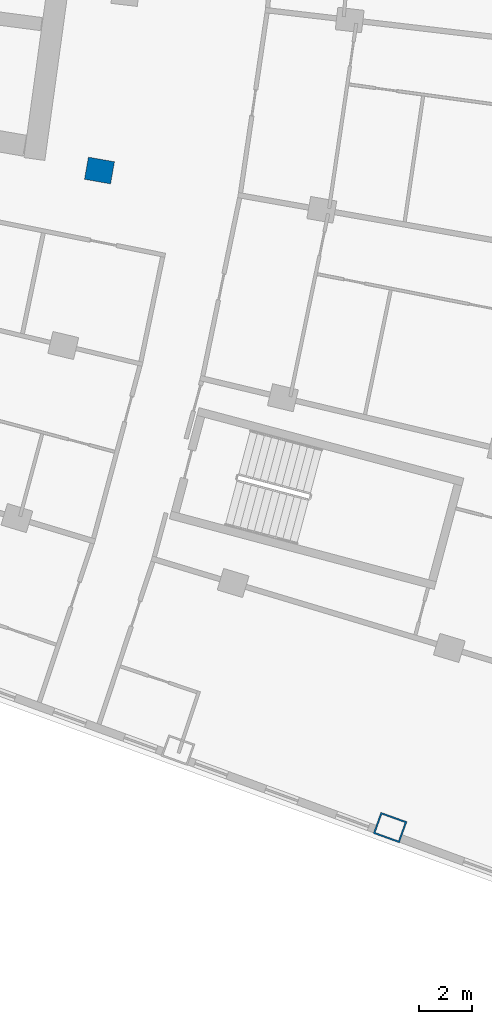
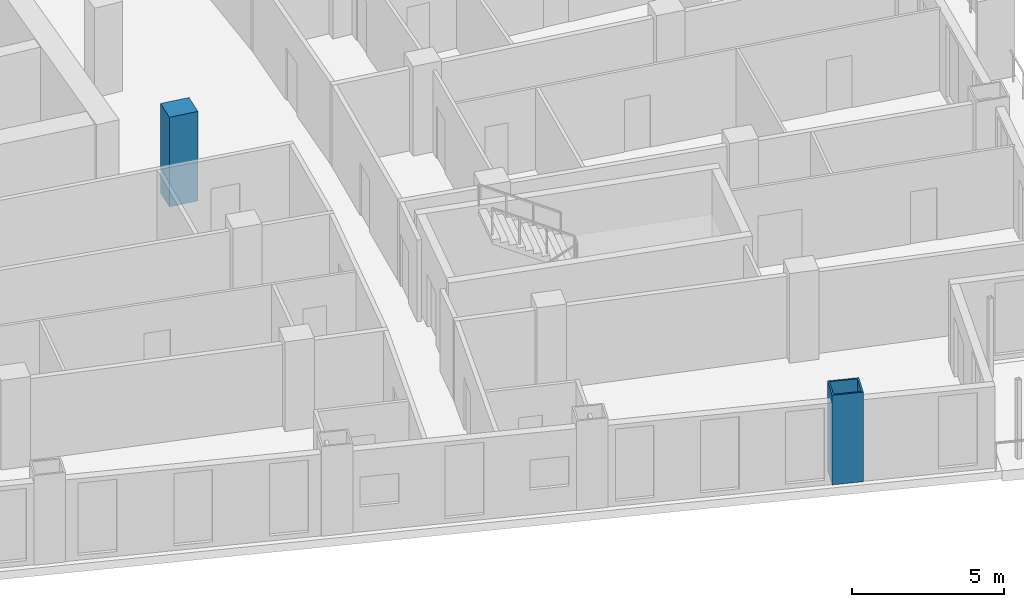
# One storey, part 3 of 23: 2 columns.
"""IFC4 building model written with IfcOpenShell, lengths in metres."""

from ifc_helpers import new_model, si_unit, direction, frame, origin, origin_2d, place, context, subcontext, project, spatial, rectangle, hollow_rectangle, extrude, material, material_profile, profile_set, type_object, element, save


model = new_model("IFC4")

# Units and contexts
model_context = context("Model", 3, precision=1e-05, world=origin(), true_north=direction((0.0, 1.0)))
body_context = subcontext(model_context, "Body", "Model", "MODEL_VIEW")
ifc_project = project(units=[si_unit("LENGTHUNIT", "METRE"), si_unit("AREAUNIT", "SQUARE_METRE"), si_unit("VOLUMEUNIT", "CUBIC_METRE"), si_unit("PLANEANGLEUNIT", "RADIAN"), si_unit("MASSUNIT", "GRAM", prefix="KILO")], contexts=[model_context])

# Site, building, storey
site_placement = place(None, origin())
site = spatial("IfcSite", under=ifc_project, at=site_placement, CompositionType="ELEMENT")
building_placement = place(site_placement, origin())
building = spatial("IfcBuilding", under=site, at=building_placement, Name="Alderwake Tower", CompositionType="ELEMENT")
storey_placement = place(building_placement, frame((0.0, 0.0, 100.39990234375)))
storey = spatial("IfcBuildingStorey", under=building, at=storey_placement, Name="L24", CompositionType="ELEMENT", Elevation=100.39990234375)

# Columns
ifc_material_1 = material(Name="Steel ASTM A572 Grade 50 concrete filled C70/85", Category="concrete")
ifc_material_profile_1 = material_profile(ifc_material_1, hollow_rectangle(XDim=0.85009765625, YDim=1.050048828125, WallThickness=0.06005859375, at=origin_2d()), Name="BOX 1050X850X60")
ifc_profile_set_1 = profile_set([ifc_material_profile_1], Name="Steel ASTM A572 Grade 50 concrete filled C70/85")
column_type_1 = type_object("IfcColumnType", Name="End column Z2", PredefinedType="COLUMN", material=ifc_profile_set_1)
column_1_placement = place(storey_placement, frame((45.015869140625, 16.00439453125, 0.0), z_axis=(0.0, 0.0, 1.0), x_axis=(0.33865252722, 0.940911507958, 0.0)))
element("IfcColumn", 1, at=column_1_placement, inside=storey, type_object=column_type_1, Name="Column R01-C4", PredefinedType="COLUMN", context=body_context, shape_type="SweptSolid", body=[
    extrude(hollow_rectangle(XDim=0.85009765625, YDim=1.050048828125, WallThickness=0.06005859375, at=origin_2d()), origin(), (0.0, 0.0, 1.0), 3.60009765625),
])
ifc_material_2 = material(Name="Concrete C70/85", Category="concrete")
ifc_material_profile_2 = material_profile(ifc_material_2, rectangle(XDim=0.85009765625, YDim=1.0, at=origin_2d()), Name="RC 1000X850")
ifc_profile_set_2 = profile_set([ifc_material_profile_2], Name="Concrete C70/85")
column_type_2 = type_object("IfcColumnType", Name="Interior column Z2", PredefinedType="COLUMN", material=ifc_profile_set_2)
column_2_placement = place(storey_placement, frame((34.03125, 40.83837890625, 0.0), z_axis=(0.0, 0.0, 1.0), x_axis=(0.174108800747, 0.984726421654, 0.0)))
element("IfcColumn", 2, at=column_2_placement, inside=storey, type_object=column_type_2, Name="Column R04-C2", PredefinedType="COLUMN", context=body_context, shape_type="SweptSolid", body=[
    extrude(rectangle(XDim=0.85009765625, YDim=1.0, at=origin_2d()), origin(), (0.0, 0.0, 1.0), 3.60009765625),
])

save(model, "model.ifc")
